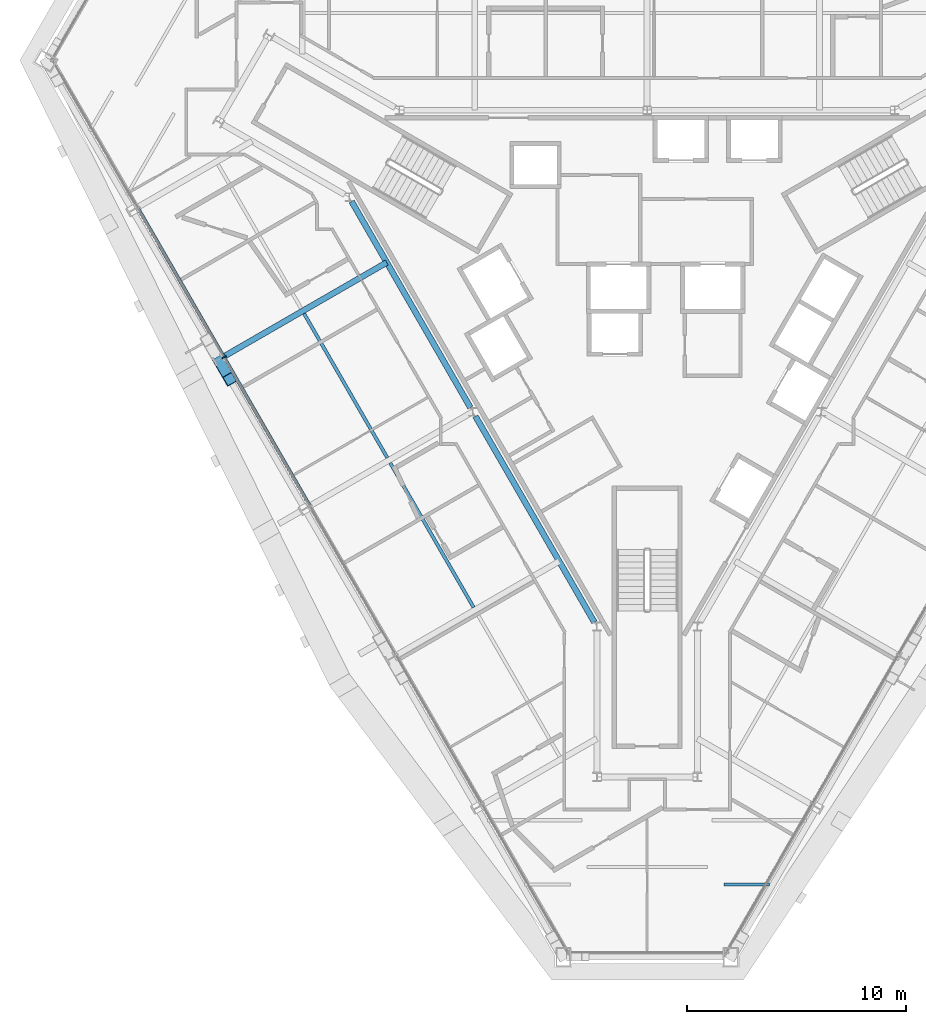
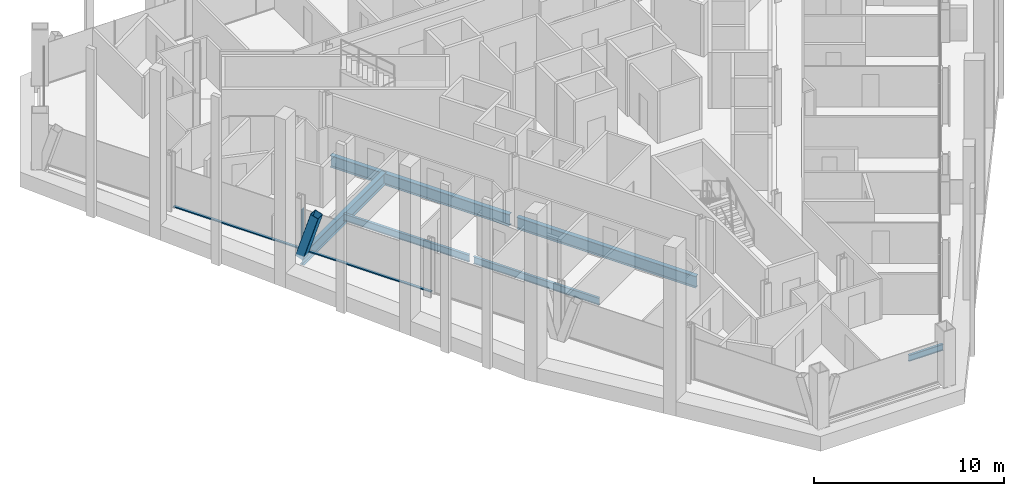
# One storey, part 4 of 17: 6 beams, 4 members, 1 element without a shape of its own.
"""IFC4 building model written with IfcOpenShell, lengths in metres."""

from ifc_helpers import new_model, si_unit, direction, frame, origin, origin_2d, place, context, subcontext, project, spatial, rectangle, hollow_rectangle, i_section, extrude, material, material_profile, profile_set, type_object, element, aggregate, save


model = new_model("IFC4")

# Units and contexts
model_context = context("Model", 3, precision=1e-05, world=origin(), true_north=direction((0.0, 1.0)))
body_context = subcontext(model_context, "Body", "Model", "MODEL_VIEW")
ifc_project = project(units=[si_unit("LENGTHUNIT", "METRE"), si_unit("AREAUNIT", "SQUARE_METRE"), si_unit("VOLUMEUNIT", "CUBIC_METRE"), si_unit("PLANEANGLEUNIT", "RADIAN"), si_unit("MASSUNIT", "GRAM", prefix="KILO")], contexts=[model_context])

# Site, building, storey
site_placement = place(None, origin())
site = spatial("IfcSite", under=ifc_project, at=site_placement, CompositionType="ELEMENT")
building_placement = place(site_placement, origin())
building = spatial("IfcBuilding", under=site, at=building_placement, Name="Verrane Prism Tower", CompositionType="ELEMENT")
storey_placement = place(building_placement, frame((0.0, 0.0, 92.800048828125)))
storey = spatial("IfcBuildingStorey", under=building, at=storey_placement, Name="L21", CompositionType="ELEMENT", Elevation=92.800048828125)

# Beams
ifc_material_1 = material(Name="Steel A992", Category="steel")
ifc_material_profile_1 = material_profile(ifc_material_1, i_section(OverallWidth=0.2666015625, OverallDepth=0.7568359375, WebThickness=0.013916015625, FlangeThickness=0.019287109375, FilletRadius=0.0166015625, at=origin_2d()), Name="W30x108")
ifc_profile_set_1 = profile_set([ifc_material_profile_1], Name="Steel A992")
beam_type_1 = type_object("IfcBeamType", Name="Core ring girder W30x108", PredefinedType="BEAM", material=ifc_profile_set_1)
beam_1_placement = place(storey_placement, frame((-13.51513671875, 5.0205078125, -0.628662109375), z_axis=(0.4993706109, -0.866388476937, 0.0), x_axis=(0.866388476937, 0.4993706109, 0.0)))
element("IfcBeam", 1, at=beam_1_placement, inside=storey, type_object=beam_type_1, Name="Core ring girder L21", PredefinedType="BEAM", context=body_context, shape_type="SweptSolid", body=[
    extrude(i_section(OverallWidth=0.2666015625, OverallDepth=0.7568359375, WebThickness=0.013916015625, FlangeThickness=0.019287109375, FilletRadius=0.0166015625, at=origin_2d()), origin(), (0.0, 0.0, 1.0), 10.8740234375),
])
beam_2_placement = place(storey_placement, frame((-7.85498046875, -4.79931640625, -0.628662109375), z_axis=(0.500034555306, -0.86600545235, 0.0), x_axis=(0.86600545235, 0.500034555306, 0.0)))
element("IfcBeam", 2, at=beam_2_placement, inside=storey, type_object=beam_type_1, Name="Core ring girder L21", PredefinedType="BEAM", context=body_context, shape_type="SweptSolid", body=[
    extrude(i_section(OverallWidth=0.2666015625, OverallDepth=0.7568359375, WebThickness=0.013916015625, FlangeThickness=0.019287109375, FilletRadius=0.0166015625, at=origin_2d()), origin(), (0.0, 0.0, 1.0), 10.879150390625),
])

# Member
ifc_material_2 = material(Name="Steel A1085 Grade A", Category="steel")
ifc_material_profile_2 = material_profile(ifc_material_2, hollow_rectangle(XDim=0.508056640625, YDim=0.508056640625, WallThickness=0.025390625, InnerFilletRadius=0.0126953125, OuterFilletRadius=0.0380859375, at=origin_2d()), Name="HSS20x20x1")
ifc_profile_set_2 = profile_set([ifc_material_profile_2], Name="Steel A1085 Grade A")
member_type_1 = type_object("IfcMemberType", Name="Facade brace HSS20x20x1", PredefinedType="BRACE", material=ifc_profile_set_2)
member_1_placement = place(storey_placement, frame((-19.556640625, -2.302490234375, -0.19775390625), z_axis=(0.149158834127, -0.258610124114, 0.954396377774), x_axis=(0.866242581807, 0.499623647823, 0.0)))
element("IfcMember", 3, at=member_1_placement, inside=storey, type_object=member_type_1, Name="Facade brace SW2 L21", PredefinedType="BRACE", context=body_context, shape_type="SweptSolid", body=[
    extrude(hollow_rectangle(XDim=0.508056640625, YDim=0.508056640625, WallThickness=0.025390625, InnerFilletRadius=0.0126953125, OuterFilletRadius=0.0380859375, at=origin_2d()), origin(), (0.0, 0.0, 1.0), 3.10498046875),
])

# Beams
ifc_material_3 = material(Name="Steel A992", Category="steel")
ifc_material_profile_3 = material_profile(ifc_material_3, i_section(OverallWidth=0.140380859375, OverallDepth=0.40380859375, WebThickness=0.007080078125, FlangeThickness=0.01123046875, FilletRadius=0.01025390625, at=origin_2d()), Name="W16x31")
ifc_profile_set_3 = profile_set([ifc_material_profile_3], Name="Steel A992")
beam_type_2 = type_object("IfcBeamType", Name="Floor beam W16x31", PredefinedType="BEAM", material=ifc_profile_set_3)
beam_3_placement = place(storey_placement, frame((3.516845703125, -26.2099609375, -0.362060546875), z_axis=(1.0, 0.0, 0.0), x_axis=(0.0, 1.0, 0.0)))
element("IfcBeam", 4, at=beam_3_placement, inside=storey, type_object=beam_type_2, Name="Floor beam L21", PredefinedType="BEAM", context=body_context, shape_type="SweptSolid", body=[
    extrude(i_section(OverallWidth=0.140380859375, OverallDepth=0.40380859375, WebThickness=0.007080078125, FlangeThickness=0.01123046875, FilletRadius=0.01025390625, at=origin_2d()), origin(), (0.0, 0.0, 1.0), 2.084716796875),
])
ifc_material_4 = material(Name="Steel A992", Category="steel")
ifc_material_profile_4 = material_profile(ifc_material_4, i_section(OverallWidth=0.15234375, OverallDepth=0.449462890625, WebThickness=0.007568359375, FlangeThickness=0.0107421875, FilletRadius=0.01025390625, at=origin_2d()), Name="W18x35")
ifc_profile_set_4 = profile_set([ifc_material_profile_4], Name="Steel A992")
beam_type_3 = type_object("IfcBeamType", Name="Floor beam W18x35", PredefinedType="BEAM", material=ifc_profile_set_4)
beam_4_placement = place(storey_placement, frame((-11.88330078125, -6.702392578125, -0.384765625), z_axis=(-0.500014495457, 0.866017034666, 0.0), x_axis=(-0.866017034666, -0.500014495457, 0.0)))
element("IfcBeam", 5, at=beam_4_placement, inside=storey, type_object=beam_type_3, Name="Floor beam L21", PredefinedType="BEAM", context=body_context, shape_type="SweptSolid", body=[
    extrude(i_section(OverallWidth=0.15234375, OverallDepth=0.449462890625, WebThickness=0.007568359375, FlangeThickness=0.0107421875, FilletRadius=0.01025390625, at=origin_2d()), origin(), (0.0, 0.0, 1.0), 7.622314453125),
])
beam_5_placement = place(storey_placement, frame((-7.93701171875, -13.544677734375, -0.384765625), z_axis=(-0.499999364504, 0.866025770688, 0.0), x_axis=(-0.866025770688, -0.499999364504, 0.0)))
element("IfcBeam", 6, at=beam_5_placement, inside=storey, type_object=beam_type_3, Name="Floor beam L21", PredefinedType="BEAM", context=body_context, shape_type="SweptSolid", body=[
    extrude(i_section(OverallWidth=0.15234375, OverallDepth=0.449462890625, WebThickness=0.007568359375, FlangeThickness=0.0107421875, FilletRadius=0.01025390625, at=origin_2d()), origin(), (0.0, 0.0, 1.0), 7.6318359375),
])

# Curtain wall, member
ifc_material_5 = material(Name="Aluminium framed insulated glazing", Category="aluminium")
curtain_wall_type = type_object("IfcCurtainWallType", Name="Curtain wall CW-A 8400 module", PredefinedType="NOTDEFINED", material=ifc_material_5)
curtain_wall_placement = place(storey_placement, origin())
curtain_wall = element("IfcCurtainWall", 7, at=curtain_wall_placement, inside=storey, type_object=curtain_wall_type, Name="Glazed curtain wall south-west face L21", PredefinedType="NOTDEFINED")
ifc_material_6 = material(Name="Aluminium alloy 6063-T6", Category="aluminium")
ifc_material_profile_5 = material_profile(ifc_material_6, rectangle(XDim=0.199951171875, YDim=0.070068359375, at=origin_2d()), Name="Mullion 70x200 aluminium")
ifc_profile_set_5 = profile_set([ifc_material_profile_5], Name="Aluminium alloy 6063-T6")
member_type_2 = type_object("IfcMemberType", Name="Mullion 70x200 aluminium", PredefinedType="MULLION", material=ifc_profile_set_5)
member_2_placement = place(storey_placement, frame((-19.3564453125, -2.095703125, 0.0), z_axis=(0.0, 0.0, 1.0), x_axis=(0.866025621383, 0.499999623108, 0.0)))
member_2 = element("IfcMember", 8, at=member_2_placement, type_object=member_type_2, Name="CW21.4 mullion 3", PredefinedType="MULLION", context=body_context, shape_type="SweptSolid", body=[
    extrude(rectangle(XDim=0.199951171875, YDim=0.070068359375, at=origin_2d()), origin(), (0.0, 0.0, 1.0), 2.61279296875),
])

# Beam
ifc_material_7 = material(Name="Steel A992", Category="steel")
ifc_material_profile_6 = material_profile(ifc_material_7, i_section(OverallWidth=0.2666015625, OverallDepth=0.76708984375, WebThickness=0.014892578125, FlangeThickness=0.023681640625, FilletRadius=0.0166015625, at=origin_2d()), Name="W30x124")
ifc_profile_set_6 = profile_set([ifc_material_profile_6], Name="Steel A992")
beam_type_4 = type_object("IfcBeamType", Name="Radial girder W30x124", PredefinedType="BEAM", material=ifc_profile_set_6)
beam_6_placement = place(storey_placement, frame((-19.404296875, -2.09130859375, -0.603515625), z_axis=(0.866024441312, 0.500001667048, 0.0), x_axis=(-0.500001667048, 0.866024441312, 0.0)))
element("IfcBeam", 9, at=beam_6_placement, inside=storey, type_object=beam_type_4, Name="Radial girder L21", PredefinedType="BEAM", context=body_context, shape_type="SweptSolid", body=[
    extrude(i_section(OverallWidth=0.2666015625, OverallDepth=0.76708984375, WebThickness=0.014892578125, FlangeThickness=0.023681640625, FilletRadius=0.0166015625, at=origin_2d()), origin(), (0.0, 0.0, 1.0), 8.65380859375),
])

# Member
ifc_material_8 = material(Name="Aluminium alloy 6063-T6", Category="aluminium")
ifc_material_profile_7 = material_profile(ifc_material_8, rectangle(XDim=0.14990234375, YDim=0.070068359375, at=origin_2d()), Name="Transom 70x150 aluminium")
ifc_profile_set_7 = profile_set([ifc_material_profile_7], Name="Aluminium alloy 6063-T6")
member_type_3 = type_object("IfcMemberType", Name="Transom 70x150 aluminium", PredefinedType="USERDEFINED", material=ifc_profile_set_7)
member_3_placement = place(storey_placement, frame((-23.2705078125, 4.683837890625, 0.034912109375), z_axis=(0.500003566721, -0.866023344527, 0.0), x_axis=(0.866023344527, 0.500003566721, 0.0)))
member_3 = element("IfcMember", 10, at=member_3_placement, type_object=member_type_3, Name="CW21.4 transom 2", ObjectType="TRANSOM", PredefinedType="USERDEFINED", context=body_context, shape_type="SweptSolid", body=[
    extrude(rectangle(XDim=0.14990234375, YDim=0.070068359375, at=origin_2d()), origin(), (0.0, 0.0, 1.0), 7.79345703125),
])

member_4_placement = place(storey_placement, frame((-19.3388671875, -2.1259765625, 0.034912109375), z_axis=(0.500003566721, -0.866023344527, 0.0), x_axis=(0.866023344527, 0.500003566721, 0.0)))
member_4 = element("IfcMember", 11, at=member_4_placement, type_object=member_type_3, Name="CW21.4 transom 3", ObjectType="TRANSOM", PredefinedType="USERDEFINED", context=body_context, shape_type="SweptSolid", body=[
    extrude(rectangle(XDim=0.14990234375, YDim=0.070068359375, at=origin_2d()), origin(), (0.0, 0.0, 1.0), 7.79345703125),
])

aggregate(curtain_wall, [member_2, member_3, member_4])

save(model, "model.ifc")
